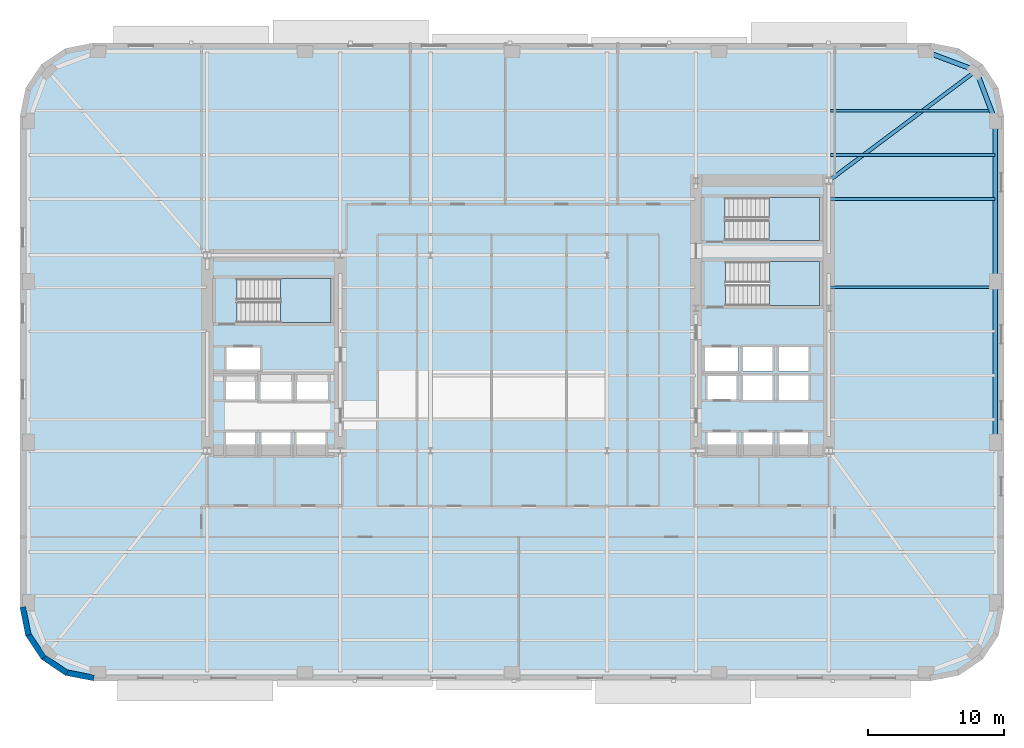
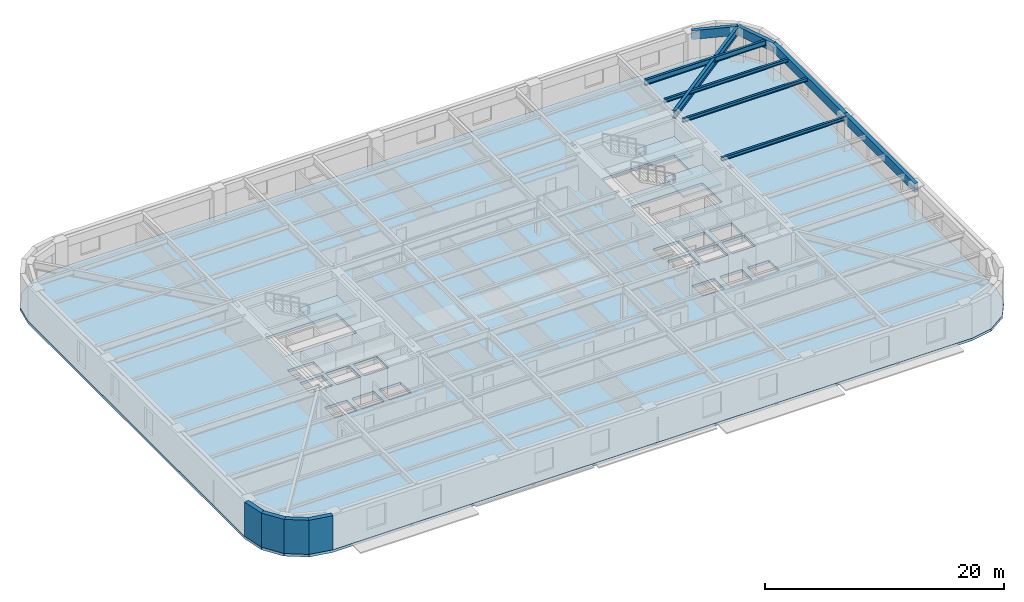
# One storey, part 3 of 14: 9 beams, 4 slabs, 4 walls, 3 elements without a shape of their own.
"""IFC4 building model written with IfcOpenShell, lengths in metres."""

from ifc_helpers import new_model, si_unit, direction, frame, frame_2d, origin, origin_2d, place, context, subcontext, project, spatial, polyline, rectangle, hollow_rectangle, i_section, outline, extrude, material, layer, layer_set, material_profile, profile_set, type_object, element, aggregate, save


model = new_model("IFC4")

# Units and contexts
model_context = context("Model", 3, precision=1e-05, world=origin(), true_north=direction((0.0, 1.0)))
body_context = subcontext(model_context, "Body", "Model", "MODEL_VIEW")
ifc_project = project(units=[si_unit("LENGTHUNIT", "METRE"), si_unit("AREAUNIT", "SQUARE_METRE"), si_unit("VOLUMEUNIT", "CUBIC_METRE"), si_unit("PLANEANGLEUNIT", "RADIAN"), si_unit("MASSUNIT", "GRAM", prefix="KILO")], contexts=[model_context])

# Site, building, storey
site_placement = place(None, origin())
site = spatial("IfcSite", under=ifc_project, at=site_placement, CompositionType="ELEMENT")
building_placement = place(site_placement, origin())
building = spatial("IfcBuilding", under=site, at=building_placement, Name="Kolvaren Arena Tower", CompositionType="ELEMENT")
storey_placement = place(building_placement, frame((0.0, 0.0, 75.75)))
storey = spatial("IfcBuildingStorey", under=building, at=storey_placement, Name="L16", CompositionType="ELEMENT", Elevation=75.75)

# Beams
ifc_material_1 = material(Name="Steel CSA G40.21 350W", Category="steel")
ifc_material_profile_1 = material_profile(ifc_material_1, i_section(OverallWidth=0.2119140625, OverallDepth=0.54296875, WebThickness=0.01318359375, FlangeThickness=0.0244140625, FilletRadius=0.013916015625, at=origin_2d()), Name="W530x150")
ifc_profile_set_1 = profile_set([ifc_material_profile_1], Name="Steel CSA G40.21 350W")
beam_type_1 = type_object("IfcBeamType", Name="BEAM-F1", PredefinedType="BEAM", material=ifc_profile_set_1)
beam_1_placement = place(storey_placement, frame((60.485107421875, 44.5, 3.20849609375), z_axis=(1.0, 0.0, 0.0), x_axis=(0.0, 1.0, 0.0)))
element("IfcBeam", 1, at=beam_1_placement, inside=storey, type_object=beam_type_1, Name="Composite Floor Beam (L16)", PredefinedType="BEAM", context=body_context, shape_type="SweptSolid", body=[
    extrude(i_section(OverallWidth=0.2119140625, OverallDepth=0.54296875, WebThickness=0.01318359375, FlangeThickness=0.0244140625, FilletRadius=0.013916015625, at=origin_2d()), origin(), (0.0, 0.0, 1.0), 11.83349609375),
])
ifc_material_profile_2 = material_profile(ifc_material_1, i_section(OverallWidth=0.27001953125, OverallDepth=0.77294921875, WebThickness=0.019287109375, FlangeThickness=0.033447265625, FilletRadius=0.01806640625, at=origin_2d()), Name="W760x257")
ifc_profile_set_2 = profile_set([ifc_material_profile_2], Name="Steel CSA G40.21 350W")
beam_type_2 = type_object("IfcBeamType", Name="GIRD-T1", PredefinedType="BEAM", material=ifc_profile_set_2)
beam_2_placement = place(storey_placement, frame((71.208740234375, 47.458740234375, 3.093505859375), z_axis=(-0.801249936397, -0.598329791523, 0.0), x_axis=(0.598329791523, -0.801249936397, 0.0)))
element("IfcBeam", 2, at=beam_2_placement, inside=storey, type_object=beam_type_2, Name="Corner Diagonal Tie Girder (L16)", PredefinedType="BEAM", context=body_context, shape_type="SweptSolid", body=[
    extrude(i_section(OverallWidth=0.27001953125, OverallDepth=0.77294921875, WebThickness=0.019287109375, FlangeThickness=0.033447265625, FilletRadius=0.01806640625, at=origin_2d()), origin(), (0.0, 0.0, 1.0), 13.55224609375),
])
ifc_material_profile_3 = material_profile(ifc_material_1, i_section(OverallWidth=0.202880859375, OverallDepth=0.346923828125, WebThickness=0.0078125, FlangeThickness=0.013427734375, FilletRadius=0.010986328125, at=origin_2d()), Name="W360x64")
ifc_profile_set_3 = profile_set([ifc_material_profile_3], Name="Steel CSA G40.21 350W")
beam_type_3 = type_object("IfcBeamType", Name="JOIST-01", PredefinedType="JOIST", material=ifc_profile_set_3)
for number, where, z_axis, x_axis, name in (
    (3, (60.3701171875, 31.5, 3.306396484375), (1.0, 0.0, 0.0), (0.0, 1.0, 0.0), "Composite Floor Joist (L16)"),
    (4, (60.3701171875, 38.0, 3.306396484375), (1.0, 0.0, 0.0), (0.0, 1.0, 0.0), "Composite Floor Joist (L16)"),
):
    element("IfcBeam", number, at=place(storey_placement, frame(where, z_axis=z_axis, x_axis=x_axis)), inside=storey, type_object=beam_type_3, Name=name, PredefinedType="JOIST", context=body_context, shape_type="SweptSolid", body=[
        extrude(i_section(OverallWidth=0.202880859375, OverallDepth=0.346923828125, WebThickness=0.0078125, FlangeThickness=0.013427734375, FilletRadius=0.010986328125, at=origin_2d()), origin(), (0.0, 0.0, 1.0), 12.22998046875),
    ])
beam_3_placement = place(storey_placement, frame((60.485107421875, 41.25, 3.306396484375), z_axis=(1.0, 0.0, 0.0), x_axis=(0.0, 1.0, 0.0)))
element("IfcBeam", 5, at=beam_3_placement, inside=storey, type_object=beam_type_3, Name="Composite Floor Joist (L16)", PredefinedType="JOIST", context=body_context, shape_type="SweptSolid", body=[
    extrude(i_section(OverallWidth=0.202880859375, OverallDepth=0.346923828125, WebThickness=0.0078125, FlangeThickness=0.013427734375, FilletRadius=0.010986328125, at=origin_2d()), origin(), (0.0, 0.0, 1.0), 12.114990234375),
])
ifc_material_2 = material(Name="Steel CSA G40.21 350WT", Category="steel")
ifc_material_profile_4 = material_profile(ifc_material_2, hollow_rectangle(XDim=0.35009765625, YDim=0.89990234375, WallThickness=0.02001953125, at=origin_2d()), Name="HSS 900x350x20")
ifc_profile_set_4 = profile_set([ifc_material_profile_4], Name="Steel CSA G40.21 350WT")
beam_type_4 = type_object("IfcBeamType", Name="SPAND-01", PredefinedType="SPANDREL", material=ifc_profile_set_4)
beam_4_placement = place(storey_placement, frame((72.60009765625, 20.083251953125, 3.030029296875), z_axis=(0.0, 1.0, 0.0), x_axis=(-1.0, 0.0, 0.0)))
element("IfcBeam", 6, at=beam_4_placement, inside=storey, type_object=beam_type_4, Name="Perimeter Spandrel Beam (L16)", PredefinedType="SPANDREL", context=body_context, shape_type="SweptSolid", body=[
    extrude(hollow_rectangle(XDim=0.35009765625, YDim=0.89990234375, WallThickness=0.02001953125, at=origin_2d()), origin(), (0.0, 0.0, 1.0), 11.83349609375),
])
beam_5_placement = place(storey_placement, frame((72.60009765625, 31.916748046875, 3.030029296875), z_axis=(0.0, 1.0, 0.0), x_axis=(-1.0, 0.0, 0.0)))
element("IfcBeam", 7, at=beam_5_placement, inside=storey, type_object=beam_type_4, Name="Perimeter Spandrel Beam (L16)", PredefinedType="SPANDREL", context=body_context, shape_type="SweptSolid", body=[
    extrude(hollow_rectangle(XDim=0.35009765625, YDim=0.89990234375, WallThickness=0.02001953125, at=origin_2d()), origin(), (0.0, 0.0, 1.0), 11.833251953125),
])
for number, where, z_axis, x_axis, name in (
    (8, (72.60009765625, 43.75, 3.030029296875), (-0.351251771955, 0.93628104365, 0.0), (-0.93628104365, -0.351251771955, 0.0), "Perimeter Spandrel Beam (L16)"),
    (9, (71.208740234375, 47.458740234375, 3.030029296875), (-0.93628104365, 0.351251771955, 0.0), (-0.351251771955, -0.93628104365, 0.0), "Perimeter Spandrel Beam (L16)"),
):
    element("IfcBeam", number, at=place(storey_placement, frame(where, z_axis=z_axis, x_axis=x_axis)), inside=storey, type_object=beam_type_4, Name=name, PredefinedType="SPANDREL", context=body_context, shape_type="SweptSolid", body=[
        extrude(hollow_rectangle(XDim=0.35009765625, YDim=0.89990234375, WallThickness=0.02001953125, at=origin_2d()), origin(), (0.0, 0.0, 1.0), 3.961181640625),
    ])

# Stair, slab
ifc_material_3 = material(Name="Concrete 45 MPa", Category="concrete")
stair_type_1 = type_object("IfcStairType", Name="STAIR-CORE-165", PredefinedType="HALF_TURN_STAIR", material=ifc_material_3)
stair_1_placement = place(storey_placement, origin())
stair_1 = element("IfcStair", 10, at=stair_1_placement, inside=storey, type_object=stair_type_1, Name="L16 ST-W1", PredefinedType="HALF_TURN_STAIR")
ifc_layer_1 = layer(ifc_material_3, 0.199951171875)
ifc_layer_set_1 = layer_set([ifc_layer_1], Name="Concrete 45 MPa")
slab_type_1 = type_object("IfcSlabType", Name="SLAB-LAND", PredefinedType="LANDING", material=ifc_layer_set_1)
slab_1_placement = place(storey_placement, frame((0.0, 0.0, 1.675048828125)))
slab_1 = element("IfcSlab", 11, at=slab_1_placement, type_object=slab_type_1, Name="ST-W1 landing 1", PredefinedType="LANDING", context=body_context, shape_type="SweptSolid", body=[
    extrude(outline(polyline([(19.9599609375, 28.89990234375), (23.659912109375, 28.89990234375), (23.659912109375, 32.1298828125), (19.9599609375, 32.1298828125), (19.9599609375, 28.89990234375)])), origin(), (0.0, 0.0, 1.0), 0.199951171875),
])
aggregate(stair_1, [slab_1])

stair_2_placement = place(storey_placement, origin())
stair_2 = element("IfcStair", 12, at=stair_2_placement, inside=storey, type_object=stair_type_1, Name="L16 ST-E1", PredefinedType="HALF_TURN_STAIR")
slab_2_placement = place(storey_placement, frame((0.0, 0.0, 1.675048828125)))
slab_2 = element("IfcSlab", 13, at=slab_2_placement, type_object=slab_type_1, Name="ST-E1 landing 1", PredefinedType="LANDING", context=body_context, shape_type="SweptSolid", body=[
    extrude(outline(polyline([(55.9599609375, 30.14990234375), (59.659912109375, 30.14990234375), (59.659912109375, 33.3798828125), (55.9599609375, 33.3798828125), (55.9599609375, 30.14990234375)])), origin(), (0.0, 0.0, 1.0), 0.199951171875),
])
aggregate(stair_2, [slab_2])

stair_type_2 = type_object("IfcStairType", Name="STAIR-CORE-150", PredefinedType="HALF_TURN_STAIR", material=ifc_material_3)
stair_3_placement = place(storey_placement, origin())
stair_3 = element("IfcStair", 14, at=stair_3_placement, inside=storey, type_object=stair_type_2, Name="L16 ST-E2", PredefinedType="HALF_TURN_STAIR")
slab_3_placement = place(storey_placement, frame((0.0, 0.0, 1.675048828125)))
slab_3 = element("IfcSlab", 15, at=slab_3_placement, type_object=slab_type_1, Name="ST-E2 landing 1", PredefinedType="LANDING", context=body_context, shape_type="SweptSolid", body=[
    extrude(outline(polyline([(55.919921875, 34.949951171875), (59.659912109375, 34.949951171875), (59.659912109375, 38.10009765625), (55.919921875, 38.10009765625), (55.919921875, 34.949951171875)])), origin(), (0.0, 0.0, 1.0), 0.199951171875),
])
aggregate(stair_3, [slab_3])

# Slab
ifc_layer_2 = layer(ifc_material_3, 0.27001953125)
ifc_layer_set_2 = layer_set([ifc_layer_2], Name="Concrete 45 MPa")
slab_type_2 = type_object("IfcSlabType", Name="SLAB-OFF2", PredefinedType="FLOOR", material=ifc_layer_set_2)
slab_4_placement = place(storey_placement, frame((0.0, 0.0, -0.27001953125)))
element("IfcSlab", 16, at=slab_4_placement, inside=storey, type_object=slab_type_2, Name="L16 Primary Structural Slab", PredefinedType="FLOOR", context=body_context, shape_type="SweptSolid", body=[
    extrude(outline(polyline([(67.85009765625, 2.5), (69.91650390625, 2.9111328125), (71.66845703125, 4.08154296875), (72.8388671875, 5.83349609375), (73.25, 7.89990234375), (73.25, 44.10009765625), (72.8388671875, 46.16650390625), (71.66845703125, 47.91845703125), (69.91650390625, 49.0888671875), (67.85009765625, 49.5), (6.14990234375, 49.5), (4.08349609375, 49.0888671875), (2.33154296875, 47.91845703125), (1.1611328125, 46.16650390625), (0.75, 44.10009765625), (0.75, 7.89990234375), (1.1611328125, 5.83349609375), (2.33154296875, 4.08154296875), (4.08349609375, 2.9111328125), (6.14990234375, 2.5), (67.85009765625, 2.5)]), holes=[polyline([(15.93505859375, 19.0849609375), (15.93505859375, 20.81494140625), (18.06494140625, 20.81494140625), (18.06494140625, 19.0849609375), (15.93505859375, 19.0849609375)]), polyline([(18.534912109375, 19.0849609375), (18.534912109375, 20.81494140625), (20.6650390625, 20.81494140625), (20.6650390625, 19.0849609375), (18.534912109375, 19.0849609375)]), polyline([(21.135009765625, 19.0849609375), (21.135009765625, 20.81494140625), (23.264892578125, 20.81494140625), (23.264892578125, 19.0849609375), (21.135009765625, 19.0849609375)]), polyline([(51.39501953125, 19.0849609375), (51.39501953125, 20.81494140625), (53.52490234375, 20.81494140625), (53.52490234375, 19.0849609375), (51.39501953125, 19.0849609375)]), polyline([(54.054931640625, 19.0849609375), (54.054931640625, 20.81494140625), (56.18505859375, 20.81494140625), (56.18505859375, 19.0849609375), (54.054931640625, 19.0849609375)]), polyline([(56.695068359375, 19.0849609375), (56.695068359375, 20.81494140625), (58.824951171875, 20.81494140625), (58.824951171875, 19.0849609375), (56.695068359375, 19.0849609375)]), polyline([(18.4599609375, 23.135009765625), (18.4599609375, 25.06494140625), (20.739990234375, 25.06494140625), (20.739990234375, 23.135009765625), (18.4599609375, 23.135009765625)]), polyline([(21.159912109375, 23.135009765625), (21.159912109375, 25.06494140625), (23.43994140625, 25.06494140625), (23.43994140625, 23.135009765625), (21.159912109375, 23.135009765625)]), polyline([(54.030029296875, 25.014892578125), (56.2099609375, 25.014892578125), (56.2099609375, 23.18505859375), (54.030029296875, 23.18505859375), (54.030029296875, 25.014892578125)]), polyline([(56.669921875, 25.014892578125), (58.85009765625, 25.014892578125), (58.85009765625, 23.18505859375), (56.669921875, 23.18505859375), (56.669921875, 25.014892578125)]), polyline([(15.93505859375, 23.235107421875), (15.93505859375, 24.965087890625), (18.06494140625, 24.965087890625), (18.06494140625, 23.235107421875), (15.93505859375, 23.235107421875)]), polyline([(51.39501953125, 24.965087890625), (53.52490234375, 24.965087890625), (53.52490234375, 23.235107421875), (51.39501953125, 23.235107421875), (51.39501953125, 24.965087890625)]), polyline([(54.030029296875, 25.284912109375), (54.030029296875, 27.114990234375), (56.2099609375, 27.114990234375), (56.2099609375, 25.284912109375), (54.030029296875, 25.284912109375)]), polyline([(56.669921875, 25.284912109375), (56.669921875, 27.114990234375), (58.85009765625, 27.114990234375), (58.85009765625, 25.284912109375), (56.669921875, 25.284912109375)]), polyline([(15.9599609375, 27.06494140625), (18.43994140625, 27.06494140625), (18.43994140625, 25.3349609375), (15.9599609375, 25.3349609375), (15.9599609375, 27.06494140625)]), polyline([(51.219970703125, 25.3349609375), (51.219970703125, 27.06494140625), (53.699951171875, 27.06494140625), (53.699951171875, 25.3349609375), (51.219970703125, 25.3349609375)]), polyline([(16.735107421875, 28.89990234375), (16.735107421875, 32.1298828125), (23.659912109375, 32.1298828125), (23.659912109375, 28.89990234375), (16.735107421875, 28.89990234375)]), polyline([(52.735107421875, 33.3798828125), (59.659912109375, 33.3798828125), (59.659912109375, 30.14990234375), (52.735107421875, 30.14990234375), (52.735107421875, 33.3798828125)]), polyline([(52.695068359375, 38.10009765625), (59.659912109375, 38.10009765625), (59.659912109375, 34.949951171875), (52.695068359375, 34.949951171875), (52.695068359375, 38.10009765625)])]), origin(), (0.0, 0.0, 1.0), 0.27001953125),
])

# Walls
ifc_material_4 = material(Name="Precast concrete C50/60", Category="concrete")
ifc_layer_3 = layer(ifc_material_4, 0.419921875)
ifc_layer_set_3 = layer_set([ifc_layer_3], Name="Precast concrete C50/60")
wall_type = type_object("IfcWallType", Name="EXT-PIER1", PredefinedType="SOLIDWALL", material=ifc_layer_set_3)
for number, where, z_axis, x_axis, name in (
    (17, (1.3671875, 5.87451171875, 0.0), (0.0, 0.0, 1.0), (-0.195135546048, 0.9807762837, 0.0), "Exterior Precast Masonry-Frame Wall (L16)"),
    (18, (2.506103515625, 4.1982421875, 0.0), (0.0, 0.0, 1.0), (-0.555502146192, 0.831515102434, 0.0), "Exterior Precast Masonry-Frame Wall (L16)"),
    (19, (4.2001953125, 3.085693359375, 0.0), (0.0, 0.0, 1.0), (-0.831515102434, 0.555502146192, 0.0), "Exterior Precast Masonry-Frame Wall (L16)"),
    (20, (6.19091796875, 2.7060546875, 0.0), (0.0, 0.0, 1.0), (-0.9807762837, 0.195135546048, 0.0), "Exterior Precast Masonry-Frame Wall (L16)"),
):
    element("IfcWall", number, at=place(storey_placement, frame(where, z_axis=z_axis, x_axis=x_axis)), inside=storey, type_object=wall_type, Name=name, PredefinedType="SOLIDWALL", context=body_context, shape_type="SweptSolid", body=[
        extrude(rectangle(XDim=2.10693359375, YDim=0.419921875, at=frame_2d((1.053466796875, 0.0))), origin(), (0.0, 0.0, 1.0), 3.47998046875),
    ])

save(model, "model.ifc")
